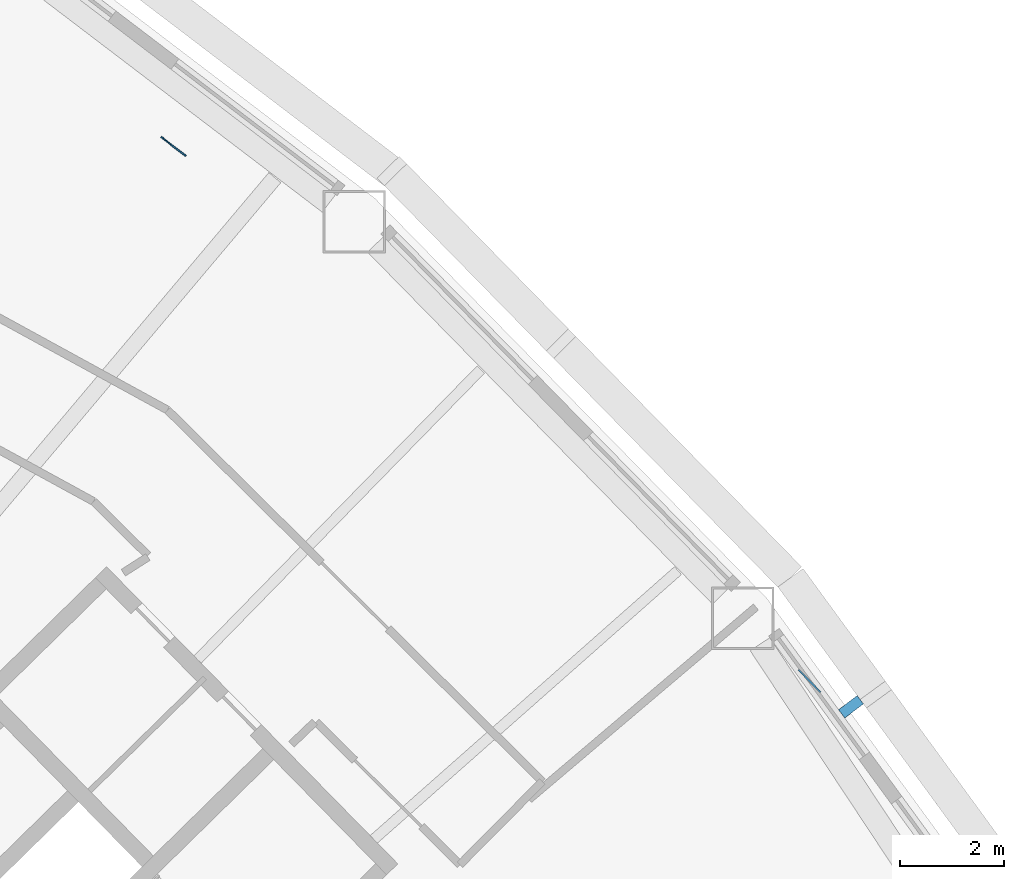
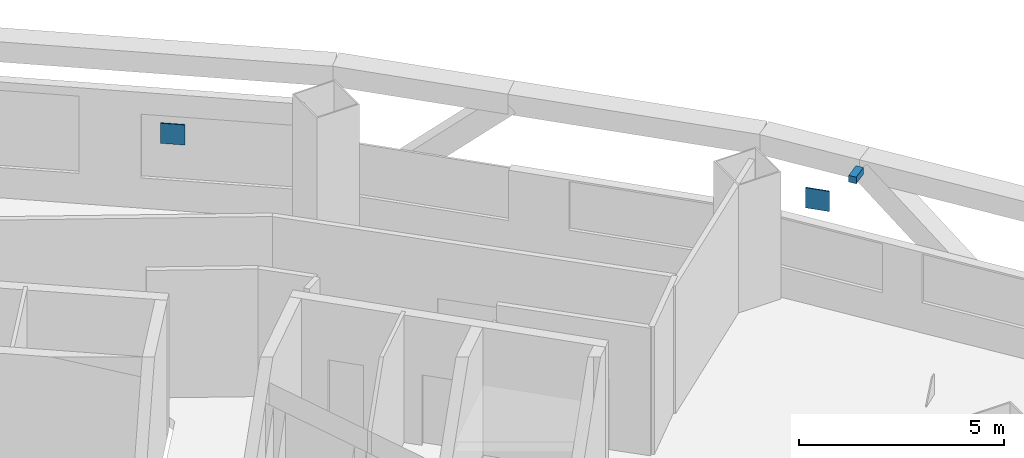
# One storey, part 14 of 19: 3 discrete accessories.
"""IFC4 building model written with IfcOpenShell, lengths in metres."""

import ifcopenshell
import ifcopenshell.guid

model = None  # the IFC model being written
_history = None  # IfcOwnerHistory: only IFC2X3 demands one
_inside = {}  # id of a spatial element -> (the spatial element, [elements in it])
_under = {}  # id of a project, library or spatial element -> (it, [spatial elements below it])
_declared = {}  # id of a project -> (the project, [libraries it declares])
_typed = {}  # id of a type object -> (the type object, [elements of that type])
_made_of = {}  # id of a material, layer set ... -> (it, [elements and type objects made of it])


def new_model(schema):
    """Start an empty IFC model of exactly this schema.

    Asked for "IFC4X3", IfcOpenShell would pick the latest addendum, in which some entities
    have other attributes; the version numbers below select the first issue.
    IFC2X3 requires an IfcOwnerHistory on every rooted entity: one is made here for all.
    """
    global model, _history
    if schema == "IFC4X3":
        model = ifcopenshell.file(schema_version=(4, 3, 0, 0))
    else:
        model = ifcopenshell.file(schema=schema)
    _inside.clear()
    _under.clear()
    _declared.clear()
    _typed.clear()
    _made_of.clear()
    _history = None
    if model.schema == "IFC2X3":
        org = make("IfcOrganization", Name="unknown")
        user = make(
            "IfcPersonAndOrganization",
            ThePerson=make("IfcPerson", FamilyName="unknown"),
            TheOrganization=org,
        )
        app = make(
            "IfcApplication",
            ApplicationDeveloper=org,
            Version="unknown",
            ApplicationFullName="unknown",
            ApplicationIdentifier="unknown",
        )
        _history = make(
            "IfcOwnerHistory",
            OwningUser=user,
            OwningApplication=app,
            ChangeAction="ADDED",
            CreationDate=0,
        )
    return model


def make(cls, **values):
    """One entity of the class cls with the attributes given. An attribute that is None is left unset."""
    return model.create_entity(
        cls, **{name: value for name, value in values.items() if value is not None}
    )


def rooted(cls, **values):
    """An entity with a GlobalId (a new one), such as an element, a storey or a relation."""
    return make(cls, GlobalId=ifcopenshell.guid.new(), OwnerHistory=_history, **values)


def si_unit(unit_type, name, prefix=None):
    """IfcSIUnit, for example si_unit("LENGTHUNIT", "METRE", prefix="MILLI")."""
    return make("IfcSIUnit", UnitType=unit_type, Prefix=prefix, Name=name)


def assignment(units):
    """IfcUnitAssignment: the units of a project."""
    return None if units is None else make("IfcUnitAssignment", Units=units)


def point(xyz):
    """IfcCartesianPoint."""
    return None if xyz is None else make("IfcCartesianPoint", Coordinates=xyz)


def direction(xyz):
    """IfcDirection."""
    return None if xyz is None else make("IfcDirection", DirectionRatios=xyz)


def frame(location, z_axis=None, x_axis=None):
    """IfcAxis2Placement3D, a coordinate frame: its origin and axes. An axis left out is left unset."""
    return make(
        "IfcAxis2Placement3D",
        Location=point(location),
        Axis=direction(z_axis),
        RefDirection=direction(x_axis),
    )


def frame_2d(location, x_axis=None):
    """IfcAxis2Placement2D, a coordinate frame in the plane: its origin and x axis."""
    return make(
        "IfcAxis2Placement2D", Location=point(location), RefDirection=direction(x_axis)
    )


def origin():
    """The frame at (0, 0, 0) with its axes left unset."""
    return frame((0.0, 0.0, 0.0))


def origin_2d():
    """The frame at (0, 0) in the plane with its x axis left unset."""
    return frame_2d((0.0, 0.0))


def place(relative_to, where):
    """IfcLocalPlacement: puts the frame where relative to a parent placement (None: the world)."""
    return make(
        "IfcLocalPlacement", PlacementRelTo=relative_to, RelativePlacement=where
    )


def context(
    kind, dimensions, precision=None, world=None, true_north=None, identifier=None
):
    """IfcGeometricRepresentationContext, for example the 3D "Model" context."""
    return make(
        "IfcGeometricRepresentationContext",
        ContextIdentifier=identifier,
        ContextType=kind,
        CoordinateSpaceDimension=dimensions,
        Precision=precision,
        WorldCoordinateSystem=world,
        TrueNorth=true_north,
    )


def subcontext(parent, identifier, kind, view, scale=None):
    """IfcGeometricRepresentationSubContext, for example "Body" below "Model"."""
    return make(
        "IfcGeometricRepresentationSubContext",
        ContextIdentifier=identifier,
        ContextType=kind,
        ParentContext=parent,
        TargetScale=scale,
        TargetView=view,
    )


def project(units=None, contexts=None):
    """IfcProject with its units and contexts."""
    return rooted(
        "IfcProject",
        Name="project",
        RepresentationContexts=contexts,
        UnitsInContext=assignment(units),
    )


def spatial(cls, under=None, at=None, **own):
    """A site, building, storey or space (cls), placed at a placement, below another one or the project."""
    s = rooted(cls, ObjectPlacement=at, **own)
    if under is not None:
        _under.setdefault(under.id(), (under, []))[1].append(s)
    return s


def profile(cls, at=None, kind="AREA", **sizes):
    """A parametric profile (cls). Its sizes go by their IFC names, for example OverallWidth=200.0."""
    return make(cls, ProfileType=kind, Position=at, **sizes)


def rectangle(**sizes):
    """IfcRectangleProfileDef."""
    return profile("IfcRectangleProfileDef", **sizes)


def extrude(swept, where, along, depth):
    """IfcExtrudedAreaSolid: the profile swept, set in the frame where, extruded along a direction by depth."""
    return make(
        "IfcExtrudedAreaSolid",
        SweptArea=swept,
        Position=where,
        ExtrudedDirection=direction(along),
        Depth=depth,
    )


def shape(context_of_items, identifier, shape_type, items):
    """IfcShapeRepresentation: the items that make up one representation, for example the "Body"."""
    return make(
        "IfcShapeRepresentation",
        ContextOfItems=context_of_items,
        RepresentationIdentifier=identifier,
        RepresentationType=shape_type,
        Items=items,
    )


def material(Name=None, Category=None):
    """IfcMaterial."""
    return make("IfcMaterial", Name=Name, Category=Category)


def made_of(thing, what):
    """Note that an element or type object is made of a material, layer set ...; save() writes the relation."""
    if what is not None:
        _made_of.setdefault(what.id(), (what, []))[1].append(thing)
    return thing


def type_object(cls, material=None, **own):
    """A type object (cls), such as IfcWallType, which elements share."""
    return made_of(rooted(cls, **own), material)


def element(
    cls,
    number,
    at=None,
    inside=None,
    cuts=None,
    type_object=None,
    material=None,
    context=None,
    identifier="Body",
    shape_type=None,
    held_by="IfcProductDefinitionShape",
    body=None,
    shapes=None,
    **own,
):
    """One element of the class cls, such as IfcWall. Its Tag is "e" and its number.

    at: its placement. inside: the storey or other place that contains it. cuts: it is an
    opening in that element (IfcRelVoidsElement). A single representation is given by context,
    identifier, shape_type and body (its items); several are given by shapes. held_by: the class
    of the entity that holds the representations. save() writes the other relations.
    """
    e = rooted(cls, Tag="e%d" % number, ObjectPlacement=at, **own)
    if body is not None:
        shapes = [shape(context, identifier, shape_type, body)]
    if shapes is not None:
        e.Representation = make(held_by, Representations=shapes)
    if inside is not None:
        _inside.setdefault(inside.id(), (inside, []))[1].append(e)
    if cuts is not None:
        rooted(
            "IfcRelVoidsElement", RelatingBuildingElement=cuts, RelatedOpeningElement=e
        )
    if type_object is not None:
        _typed.setdefault(type_object.id(), (type_object, []))[1].append(e)
    return made_of(e, material)


def aggregate(whole, parts):
    """IfcRelAggregates: a whole, such as a stair, and the parts it consists of."""
    return rooted("IfcRelAggregates", RelatingObject=whole, RelatedObjects=parts)


def save(model, path):
    """Write the relations noted so far, then the file.

    IfcRelAggregates (storeys below a building ...), IfcRelContainedInSpatialStructure (elements
    in a storey), IfcRelDefinesByType, IfcRelAssociatesMaterial and IfcRelDeclares: one each for
    every whole, place, type object, material and project.
    """
    for whole, parts in _under.values():
        aggregate(whole, parts)
    for where, things in _inside.values():
        rooted(
            "IfcRelContainedInSpatialStructure",
            RelatedElements=things,
            RelatingStructure=where,
        )
    for kind, things in _typed.values():
        rooted("IfcRelDefinesByType", RelatedObjects=things, RelatingType=kind)
    for what, things in _made_of.values():
        rooted("IfcRelAssociatesMaterial", RelatedObjects=things, RelatingMaterial=what)
    for by, libraries in _declared.values():
        rooted("IfcRelDeclares", RelatingContext=by, RelatedDefinitions=libraries)
    model.write(path)


model = new_model("IFC4")

# Units and contexts
model_context = context("Model", 3, precision=1e-05, world=origin(), true_north=direction((0.0, 1.0)))
body_context = subcontext(model_context, "Body", "Model", "MODEL_VIEW")
ifc_project = project(units=[si_unit("LENGTHUNIT", "METRE"), si_unit("AREAUNIT", "SQUARE_METRE"), si_unit("VOLUMEUNIT", "CUBIC_METRE"), si_unit("PLANEANGLEUNIT", "RADIAN"), si_unit("MASSUNIT", "GRAM", prefix="KILO")], contexts=[model_context])

# Site, building, storey
site_placement = place(None, origin())
site = spatial("IfcSite", under=ifc_project, at=site_placement, CompositionType="ELEMENT")
building_placement = place(site_placement, origin())
building = spatial("IfcBuilding", under=site, at=building_placement, Name="Tuul Gate Civic Tower", CompositionType="ELEMENT")
storey_placement = place(building_placement, frame((0.0, 0.0, 90.60009765625)))
storey = spatial("IfcBuildingStorey", under=building, at=storey_placement, Name="Level 20", CompositionType="ELEMENT", Elevation=90.60009765625)

# Discrete accessories
ifc_material_1 = material(Name="Steel S355", Category="steel")
discrete_accessory_type_1 = type_object("IfcDiscreteAccessoryType", Name="Gusset plate", PredefinedType="BRACKET", material=ifc_material_1)
for number, where, z_axis, x_axis, name in (
    (1, (62.46337890625, -8.616455078125, 2.796630859375), (0.0, 0.0, 1.0), (0.700047997827, -0.71409579241, 0.0), "Gusset plate"),
    (2, (50.231201171875, 1.664306640625, 2.796630859375), (0.0, 0.0, 1.0), (0.795629478909, -0.605783568852, 0.0), "Gusset plate"),
):
    element("IfcDiscreteAccessory", number, at=place(storey_placement, frame(where, z_axis=z_axis, x_axis=x_axis)), inside=storey, type_object=discrete_accessory_type_1, Name=name, PredefinedType="BRACKET", context=body_context, shape_type="SweptSolid", body=[
        extrude(rectangle(XDim=0.60009765625, YDim=0.030029296875, at=origin_2d()), origin(), (0.0, 0.0, 1.0), 0.60009765625),
    ])
ifc_material_2 = material(Name="Stainless steel", Category="steel")
discrete_accessory_type_2 = type_object("IfcDiscreteAccessoryType", Name="Screen bracket", PredefinedType="BRACKET", material=ifc_material_2)
discrete_accessory_placement = place(storey_placement, frame((63.2607421875, -9.11328125, 3.75), z_axis=(0.0, 0.0, 1.0), x_axis=(0.796468710921, 0.604679743769, 0.0)))
element("IfcDiscreteAccessory", 3, at=discrete_accessory_placement, inside=storey, type_object=discrete_accessory_type_2, Name="Screen bracket 2", PredefinedType="BRACKET", context=body_context, shape_type="SweptSolid", body=[
    extrude(rectangle(XDim=0.4501953125, YDim=0.199951171875, at=origin_2d()), origin(), (0.0, 0.0, 1.0), 0.199951171875),
])

save(model, "model.ifc")
